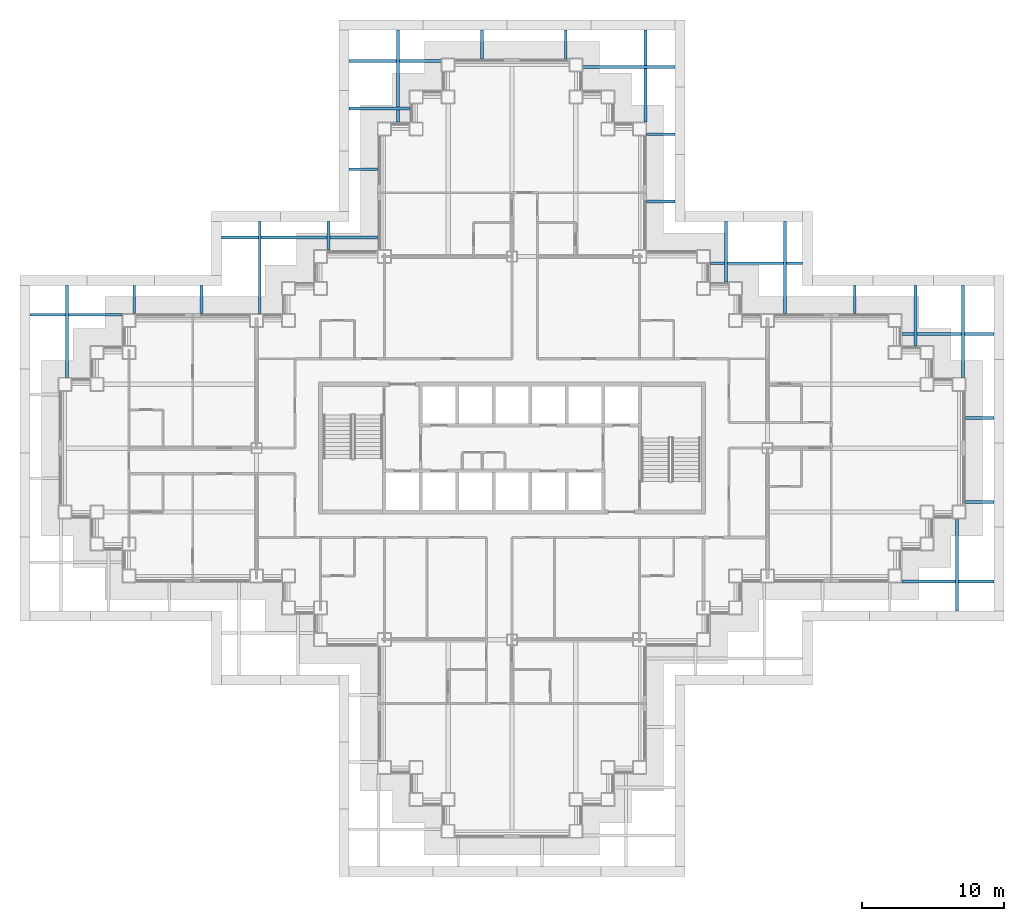
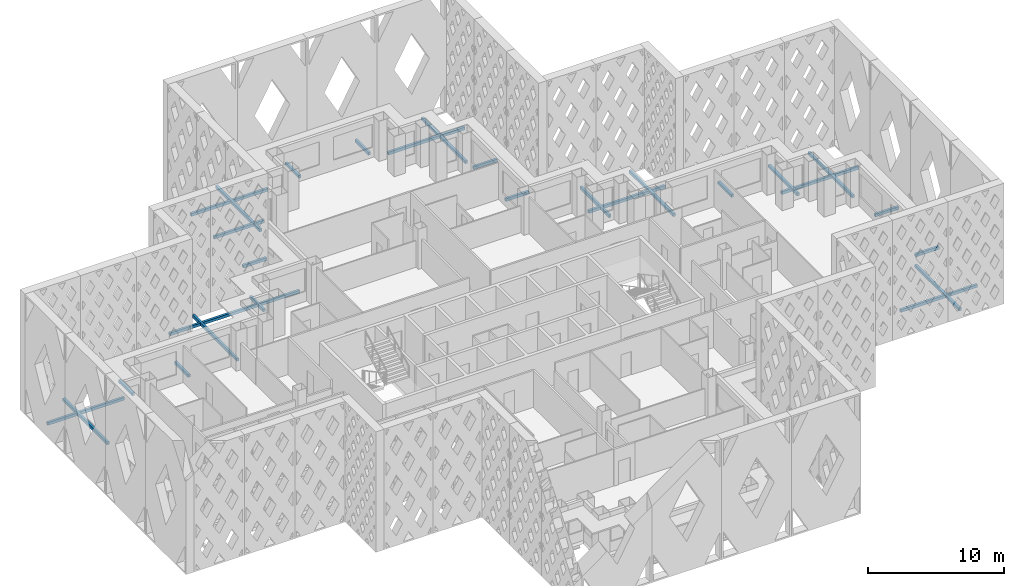
# One storey, part 10 of 19: 28 discrete accessories.
"""IFC4 building model written with IfcOpenShell, lengths in metres."""

from ifc_helpers import new_model, si_unit, direction, frame, origin, origin_2d, place, context, subcontext, project, spatial, rectangle, extrude, material, type_object, element, save


model = new_model("IFC4")

# Units and contexts
model_context = context("Model", 3, precision=1e-05, world=origin(), true_north=direction((0.0, 1.0)))
body_context = subcontext(model_context, "Body", "Model", "MODEL_VIEW")
ifc_project = project(units=[si_unit("LENGTHUNIT", "METRE"), si_unit("AREAUNIT", "SQUARE_METRE"), si_unit("VOLUMEUNIT", "CUBIC_METRE"), si_unit("PLANEANGLEUNIT", "RADIAN"), si_unit("MASSUNIT", "GRAM", prefix="KILO")], contexts=[model_context])

# Site, building, storey
site_placement = place(None, origin())
site = spatial("IfcSite", under=ifc_project, at=site_placement, CompositionType="ELEMENT")
building_placement = place(site_placement, origin())
building = spatial("IfcBuilding", under=site, at=building_placement, Name="Caravel Reach Hotel and Residences", CompositionType="ELEMENT")
storey_placement = place(building_placement, frame((0.0, 0.0, 85.199951171875)))
storey = spatial("IfcBuildingStorey", under=building, at=storey_placement, Name="L20", CompositionType="ELEMENT", Elevation=85.199951171875)

# Discrete accessories
ifc_material = material(Name="Black powder-coated aluminium", Category="aluminium")
discrete_accessory_type = type_object("IfcDiscreteAccessoryType", Name="BR1 Screen bracket", PredefinedType="BRACKET", material=ifc_material)
for number, where, z_axis, x_axis, name in (
    (1, (62.861572265625, 18.77490234375, 0.10009765625), (0.0, 0.0, 1.0), (0.0, -1.0, 0.0), "Screen bracket L20 6.3.1"),
    (2, (62.22509765625, 17.5986328125, 0.10009765625), (0.0, 0.0, 1.0), (1.0, 0.0, 0.0), "Screen bracket L20 7.1.1"),
):
    element("IfcDiscreteAccessory", number, at=place(storey_placement, frame(where, z_axis=z_axis, x_axis=x_axis)), inside=storey, type_object=discrete_accessory_type, Name=name, PredefinedType="BRACKET", context=body_context, shape_type="SweptSolid", body=[
        extrude(rectangle(XDim=6.5, YDim=0.199951171875, at=origin_2d()), origin(), (0.0, 0.0, 1.0), 0.25),
    ])
for number, where, z_axis, x_axis, name in (
    (3, (64.47509765625, 23.211181640625, 0.10009765625), (0.0, 0.0, 1.0), (1.0, 0.0, 0.0), "Screen bracket L20 7.2.1"),
    (4, (64.47509765625, 29.123779296875, 0.10009765625), (0.0, 0.0, 1.0), (1.0, 0.0, 0.0), "Screen bracket L20 7.3.1"),
):
    element("IfcDiscreteAccessory", number, at=place(storey_placement, frame(where, z_axis=z_axis, x_axis=x_axis)), inside=storey, type_object=discrete_accessory_type, Name=name, PredefinedType="BRACKET", context=body_context, shape_type="SweptSolid", body=[
        extrude(rectangle(XDim=2.0, YDim=0.199951171875, at=origin_2d()), origin(), (0.0, 0.0, 1.0), 0.25),
    ])
for number, where, z_axis, x_axis, name in (
    (5, (62.22509765625, 35.0361328125, 0.10009765625), (0.0, 0.0, 1.0), (1.0, 0.0, 0.0), "Screen bracket L20 7.4.1"),
    (6, (63.294921875, 35.22509765625, 0.10009765625), (0.0, 0.0, 1.0), (0.0, 1.0, 0.0), "Screen bracket L20 8.1.1"),
):
    element("IfcDiscreteAccessory", number, at=place(storey_placement, frame(where, z_axis=z_axis, x_axis=x_axis)), inside=storey, type_object=discrete_accessory_type, Name=name, PredefinedType="BRACKET", context=body_context, shape_type="SweptSolid", body=[
        extrude(rectangle(XDim=6.5, YDim=0.199951171875, at=origin_2d()), origin(), (0.0, 0.0, 1.0), 0.25),
    ])
discrete_accessory_1_placement = place(storey_placement, frame((59.92822265625, 36.35009765625, 0.10009765625), z_axis=(0.0, 0.0, 1.0), x_axis=(0.0, 1.0, 0.0)))
element("IfcDiscreteAccessory", 7, at=discrete_accessory_1_placement, inside=storey, type_object=discrete_accessory_type, Name="Screen bracket L20 8.2.1", PredefinedType="BRACKET", context=body_context, shape_type="SweptSolid", body=[
    extrude(rectangle(XDim=4.25, YDim=0.199951171875, at=origin_2d()), origin(), (0.0, 0.0, 1.0), 0.25),
])
discrete_accessory_2_placement = place(storey_placement, frame((55.66162109375, 37.47509765625, 0.10009765625), z_axis=(0.0, 0.0, 1.0), x_axis=(0.0, 1.0, 0.0)))
element("IfcDiscreteAccessory", 8, at=discrete_accessory_2_placement, inside=storey, type_object=discrete_accessory_type, Name="Screen bracket L20 8.3.1", PredefinedType="BRACKET", context=body_context, shape_type="SweptSolid", body=[
    extrude(rectangle(XDim=2.0, YDim=0.199951171875, at=origin_2d()), origin(), (0.0, 0.0, 1.0), 0.25),
])
for number, where, z_axis, x_axis, name in (
    (9, (48.72509765625, 40.034912109375, 0.10009765625), (0.0, 0.0, 1.0), (1.0, 0.0, 0.0), "Screen bracket L20 9.1.1"),
    (10, (50.72998046875, 39.72509765625, 0.10009765625), (0.0, 0.0, 1.0), (0.0, 1.0, 0.0), "Screen bracket L20 10.1.1"),
):
    element("IfcDiscreteAccessory", number, at=place(storey_placement, frame(where, z_axis=z_axis, x_axis=x_axis)), inside=storey, type_object=discrete_accessory_type, Name=name, PredefinedType="BRACKET", context=body_context, shape_type="SweptSolid", body=[
        extrude(rectangle(XDim=6.5, YDim=0.199951171875, at=origin_2d()), origin(), (0.0, 0.0, 1.0), 0.25),
    ])
discrete_accessory_3_placement = place(storey_placement, frame((46.580078125, 40.85009765625, 0.10009765625), z_axis=(0.0, 0.0, 1.0), x_axis=(0.0, 1.0, 0.0)))
element("IfcDiscreteAccessory", 11, at=discrete_accessory_3_placement, inside=storey, type_object=discrete_accessory_type, Name="Screen bracket L20 10.2.1", PredefinedType="BRACKET", context=body_context, shape_type="SweptSolid", body=[
    extrude(rectangle(XDim=4.25, YDim=0.199951171875, at=origin_2d()), origin(), (0.0, 0.0, 1.0), 0.25),
])
for number, where, z_axis, x_axis, name in (
    (12, (41.97509765625, 44.39501953125, 0.10009765625), (0.0, 0.0, 1.0), (1.0, 0.0, 0.0), "Screen bracket L20 11.1.1"),
    (13, (41.97509765625, 49.12841796875, 0.10009765625), (0.0, 0.0, 1.0), (1.0, 0.0, 0.0), "Screen bracket L20 11.2.1"),
):
    element("IfcDiscreteAccessory", number, at=place(storey_placement, frame(where, z_axis=z_axis, x_axis=x_axis)), inside=storey, type_object=discrete_accessory_type, Name=name, PredefinedType="BRACKET", context=body_context, shape_type="SweptSolid", body=[
        extrude(rectangle(XDim=2.0, YDim=0.199951171875, at=origin_2d()), origin(), (0.0, 0.0, 1.0), 0.25),
    ])
for number, where, z_axis, x_axis, name in (
    (14, (39.72509765625, 53.861572265625, 0.10009765625), (0.0, 0.0, 1.0), (1.0, 0.0, 0.0), "Screen bracket L20 11.3.1"),
    (15, (40.9013671875, 53.22509765625, 0.10009765625), (0.0, 0.0, 1.0), (0.0, 1.0, 0.0), "Screen bracket L20 12.1.1"),
):
    element("IfcDiscreteAccessory", number, at=place(storey_placement, frame(where, z_axis=z_axis, x_axis=x_axis)), inside=storey, type_object=discrete_accessory_type, Name=name, PredefinedType="BRACKET", context=body_context, shape_type="SweptSolid", body=[
        extrude(rectangle(XDim=6.5, YDim=0.199951171875, at=origin_2d()), origin(), (0.0, 0.0, 1.0), 0.25),
    ])
for number, where, z_axis, x_axis, name in (
    (16, (35.288818359375, 55.47509765625, 0.10009765625), (0.0, 0.0, 1.0), (0.0, 1.0, 0.0), "Screen bracket L20 12.2.1"),
    (17, (29.376220703125, 55.47509765625, 0.10009765625), (0.0, 0.0, 1.0), (0.0, 1.0, 0.0), "Screen bracket L20 12.3.1"),
):
    element("IfcDiscreteAccessory", number, at=place(storey_placement, frame(where, z_axis=z_axis, x_axis=x_axis)), inside=storey, type_object=discrete_accessory_type, Name=name, PredefinedType="BRACKET", context=body_context, shape_type="SweptSolid", body=[
        extrude(rectangle(XDim=2.0, YDim=0.199951171875, at=origin_2d()), origin(), (0.0, 0.0, 1.0), 0.25),
    ])
for number, where, z_axis, x_axis, name in (
    (18, (23.4638671875, 53.22509765625, 0.10009765625), (0.0, 0.0, 1.0), (0.0, 1.0, 0.0), "Screen bracket L20 12.4.1"),
    (19, (23.27490234375, 54.294921875, 0.10009765625), (0.0, 0.0, 1.0), (-1.0, 0.0, 0.0), "Screen bracket L20 13.1.1"),
):
    element("IfcDiscreteAccessory", number, at=place(storey_placement, frame(where, z_axis=z_axis, x_axis=x_axis)), inside=storey, type_object=discrete_accessory_type, Name=name, PredefinedType="BRACKET", context=body_context, shape_type="SweptSolid", body=[
        extrude(rectangle(XDim=6.5, YDim=0.199951171875, at=origin_2d()), origin(), (0.0, 0.0, 1.0), 0.25),
    ])
discrete_accessory_4_placement = place(storey_placement, frame((22.14990234375, 50.92822265625, 0.10009765625), z_axis=(0.0, 0.0, 1.0), x_axis=(-1.0, 0.0, 0.0)))
element("IfcDiscreteAccessory", 20, at=discrete_accessory_4_placement, inside=storey, type_object=discrete_accessory_type, Name="Screen bracket L20 13.2.1", PredefinedType="BRACKET", context=body_context, shape_type="SweptSolid", body=[
    extrude(rectangle(XDim=4.25, YDim=0.199951171875, at=origin_2d()), origin(), (0.0, 0.0, 1.0), 0.25),
])
for number, where, z_axis, x_axis, name in (
    (21, (21.02490234375, 46.66162109375, 0.10009765625), (0.0, 0.0, 1.0), (-1.0, 0.0, 0.0), "Screen bracket L20 13.3.1"),
    (22, (18.570068359375, 41.97509765625, 0.10009765625), (0.0, 0.0, 1.0), (0.0, 1.0, 0.0), "Screen bracket L20 14.1.1"),
):
    element("IfcDiscreteAccessory", number, at=place(storey_placement, frame(where, z_axis=z_axis, x_axis=x_axis)), inside=storey, type_object=discrete_accessory_type, Name=name, PredefinedType="BRACKET", context=body_context, shape_type="SweptSolid", body=[
        extrude(rectangle(XDim=2.0, YDim=0.199951171875, at=origin_2d()), origin(), (0.0, 0.0, 1.0), 0.25),
    ])
discrete_accessory_5_placement = place(storey_placement, frame((13.719970703125, 39.72509765625, 0.10009765625), z_axis=(0.0, 0.0, 1.0), x_axis=(0.0, 1.0, 0.0)))
element("IfcDiscreteAccessory", 23, at=discrete_accessory_5_placement, inside=storey, type_object=discrete_accessory_type, Name="Screen bracket L20 14.2.1", PredefinedType="BRACKET", context=body_context, shape_type="SweptSolid", body=[
    extrude(rectangle(XDim=6.5, YDim=0.199951171875, at=origin_2d()), origin(), (0.0, 0.0, 1.0), 0.25),
])
discrete_accessory_6_placement = place(storey_placement, frame((16.52490234375, 41.8349609375, 0.10009765625), z_axis=(0.0, 0.0, 1.0), x_axis=(-1.0, 0.0, 0.0)))
element("IfcDiscreteAccessory", 24, at=discrete_accessory_6_placement, inside=storey, type_object=discrete_accessory_type, Name="Screen bracket L20 15.1.1", PredefinedType="BRACKET", context=body_context, shape_type="SweptSolid", body=[
    extrude(rectangle(XDim=11.0, YDim=0.199951171875, at=origin_2d()), origin(), (0.0, 0.0, 1.0), 0.25),
])
for number, where, z_axis, x_axis, name in (
    (25, (9.60498046875, 37.47509765625, 0.10009765625), (0.0, 0.0, 1.0), (0.0, 1.0, 0.0), "Screen bracket L20 16.1.1"),
    (26, (4.87158203125, 37.47509765625, 0.10009765625), (0.0, 0.0, 1.0), (0.0, 1.0, 0.0), "Screen bracket L20 16.2.1"),
):
    element("IfcDiscreteAccessory", number, at=place(storey_placement, frame(where, z_axis=z_axis, x_axis=x_axis)), inside=storey, type_object=discrete_accessory_type, Name=name, PredefinedType="BRACKET", context=body_context, shape_type="SweptSolid", body=[
        extrude(rectangle(XDim=2.0, YDim=0.199951171875, at=origin_2d()), origin(), (0.0, 0.0, 1.0), 0.25),
    ])
for number, where, z_axis, x_axis, name in (
    (27, (0.138427734375, 35.22509765625, 0.10009765625), (0.0, 0.0, 1.0), (0.0, 1.0, 0.0), "Screen bracket L20 16.3.1"),
    (28, (0.77490234375, 36.4013671875, 0.10009765625), (0.0, 0.0, 1.0), (-1.0, 0.0, 0.0), "Screen bracket L20 17.1.1"),
):
    element("IfcDiscreteAccessory", number, at=place(storey_placement, frame(where, z_axis=z_axis, x_axis=x_axis)), inside=storey, type_object=discrete_accessory_type, Name=name, PredefinedType="BRACKET", context=body_context, shape_type="SweptSolid", body=[
        extrude(rectangle(XDim=6.5, YDim=0.199951171875, at=origin_2d()), origin(), (0.0, 0.0, 1.0), 0.25),
    ])

save(model, "model.ifc")
